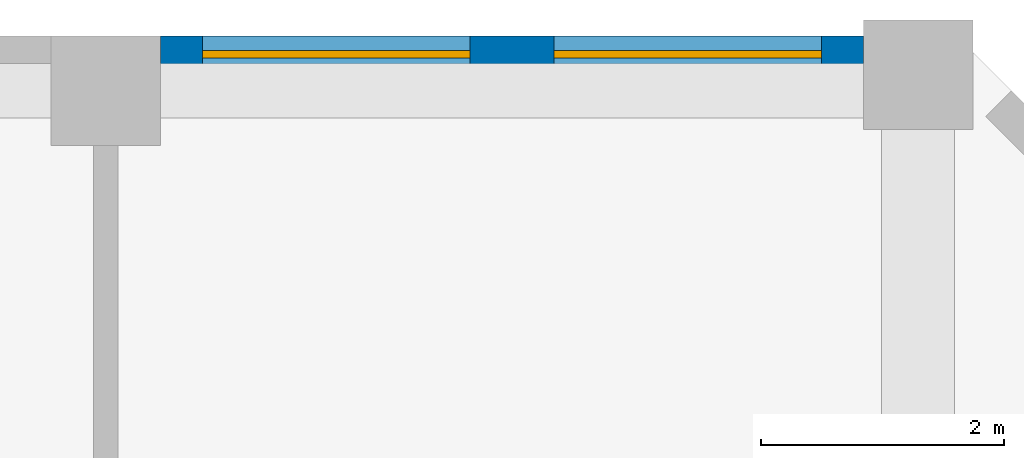
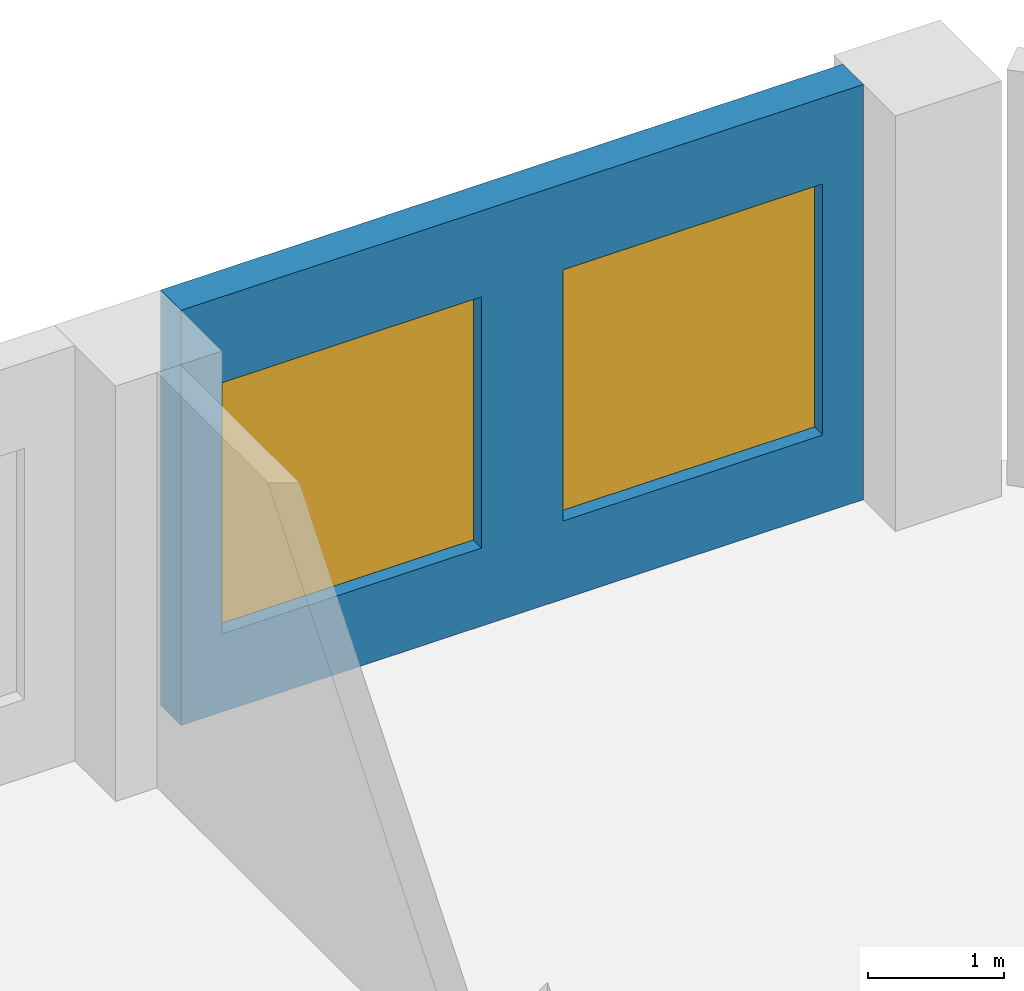
# One storey, part 17 of 26: 2 windows, 1 wall, 2 openings.
"""IFC4 building model written with IfcOpenShell, lengths in metres."""

from ifc_helpers import new_model, si_unit, direction, frame, frame_2d, origin, place, context, subcontext, project, spatial, rectangle, extrude, source, transform, mapped, material, layer, layer_set, type_object, element, fill, save


model = new_model("IFC4")

# Units and contexts
model_context = context("Model", 3, precision=1e-05, world=origin(), true_north=direction((0.0, 1.0)))
body_context = subcontext(model_context, "Body", "Model", "MODEL_VIEW")
ifc_project = project(units=[si_unit("LENGTHUNIT", "METRE"), si_unit("AREAUNIT", "SQUARE_METRE"), si_unit("VOLUMEUNIT", "CUBIC_METRE"), si_unit("PLANEANGLEUNIT", "RADIAN"), si_unit("MASSUNIT", "GRAM", prefix="KILO")], contexts=[model_context])

# Site, building, storey
site_placement = place(None, origin())
site = spatial("IfcSite", under=ifc_project, at=site_placement, CompositionType="ELEMENT")
building_placement = place(site_placement, origin())
building = spatial("IfcBuilding", under=site, at=building_placement, Name="Kilnfold Tower and Market Hall", CompositionType="ELEMENT")
storey_placement = place(building_placement, frame((0.0, 0.0, 83.199951171875)))
storey = spatial("IfcBuildingStorey", under=building, at=storey_placement, Name="L19", CompositionType="ELEMENT", Elevation=83.199951171875)

# Wall, openings, windows
ifc_material_1 = material(Name="Precast concrete C50/60", Category="concrete")
ifc_layer = layer(ifc_material_1, 0.300048828125)
ifc_layer_set = layer_set([ifc_layer], Name="Precast concrete C50/60")
wall_type = type_object("IfcWallType", Name="PRECAST WALL 300", PredefinedType="SOLIDWALL", material=ifc_layer_set)
shared_shape = source(origin(), body_context, "Body", "SweptSolid", [
    extrude(rectangle(XDim=5.78173828125, YDim=0.300048828125, at=frame_2d((2.890869140625, 0.0))), origin(), (0.0, 0.0, 1.0), 3.719970703125),
])
wall_placement = place(storey_placement, frame((28.731689453125, 27.85009765625, 0.0), z_axis=(0.0, 0.0, 1.0), x_axis=(-1.0, 0.0, 0.0)))
wall = element("IfcWall", 1, at=wall_placement, inside=storey, type_object=wall_type, Name="External wall L19 N", PredefinedType="SOLIDWALL", context=body_context, shape_type="MappedRepresentation", body=[
    mapped(shared_shape, transform((0.0, 0.0, 0.0))),
])
opening_1_placement = place(wall_placement, frame((0.345458984375, 0.0, 0.699951171875)))
opening_1 = element("IfcOpeningElement", 2, at=opening_1_placement, cuts=wall, Name="Opening W1", PredefinedType="OPENING", context=body_context, shape_type="SweptSolid", body=[
    extrude(rectangle(XDim=2.199951171875, YDim=2.25, at=frame_2d((1.10009765625, 1.125))), frame((0.0, 0.16015625, 0.0), z_axis=(0.0, -1.0, 0.0), x_axis=(1.0, 0.0, 0.0)), (0.0, 0.0, 1.0), 0.320068359375),
])
opening_2_placement = place(wall_placement, frame((3.236328125, 0.0, 0.699951171875)))
opening_2 = element("IfcOpeningElement", 3, at=opening_2_placement, cuts=wall, Name="Opening W1", PredefinedType="OPENING", context=body_context, shape_type="SweptSolid", body=[
    extrude(rectangle(XDim=2.199951171875, YDim=2.25, at=frame_2d((1.10009765625, 1.125))), frame((0.0, 0.16015625, 0.0), z_axis=(0.0, -1.0, 0.0), x_axis=(1.0, 0.0, 0.0)), (0.0, 0.0, 1.0), 0.320068359375),
])
ifc_material_2 = material(Name="Aluminium frame and double glazing", Category="aluminium")
window_type = type_object("IfcWindowType", Name="WINDOW W1 2200X2250", PartitioningType="SINGLE_PANEL", PredefinedType="WINDOW", material=ifc_material_2)
window_1_placement = place(opening_1_placement, origin())
window_1 = element("IfcWindow", 4, at=window_1_placement, inside=storey, type_object=window_type, Name="Window W1 L19 N-1", OverallHeight=2.25, OverallWidth=2.199951171875, PartitioningType="SINGLE_PANEL", PredefinedType="WINDOW", context=body_context, shape_type="SweptSolid", body=[
    extrude(rectangle(XDim=2.199951171875, YDim=2.25, at=frame_2d((1.10009765625, 1.125))), frame((0.0, 0.030029296875, 0.0), z_axis=(0.0, -1.0, 0.0), x_axis=(1.0, 0.0, 0.0)), (0.0, 0.0, 1.0), 0.06005859375),
])
fill(opening_1, window_1)
window_2_placement = place(opening_2_placement, origin())
window_2 = element("IfcWindow", 5, at=window_2_placement, inside=storey, type_object=window_type, Name="Window W1 L19 N-2", OverallHeight=2.25, OverallWidth=2.199951171875, PartitioningType="SINGLE_PANEL", PredefinedType="WINDOW", context=body_context, shape_type="SweptSolid", body=[
    extrude(rectangle(XDim=2.199951171875, YDim=2.25, at=frame_2d((1.10009765625, 1.125))), frame((0.0, 0.030029296875, 0.0), z_axis=(0.0, -1.0, 0.0), x_axis=(1.0, 0.0, 0.0)), (0.0, 0.0, 1.0), 0.06005859375),
])
fill(opening_2, window_2)

save(model, "model.ifc")
